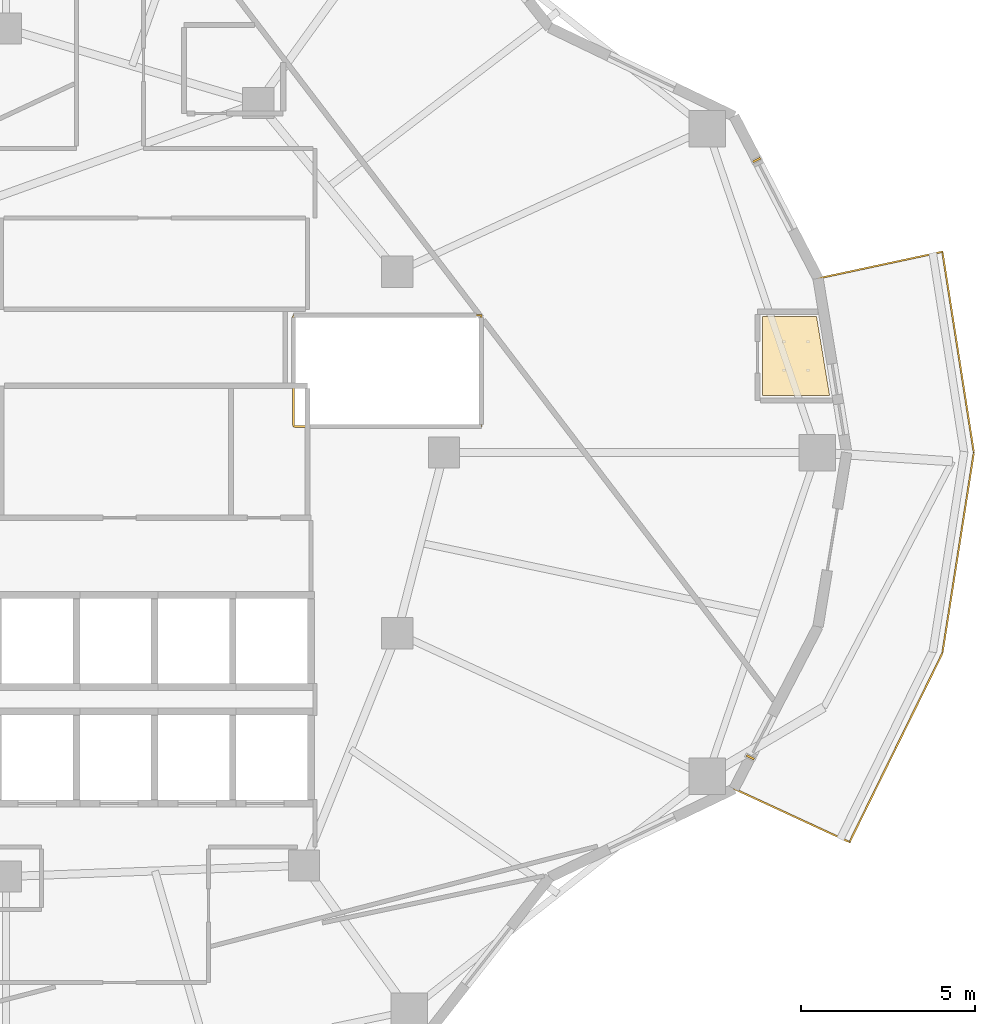
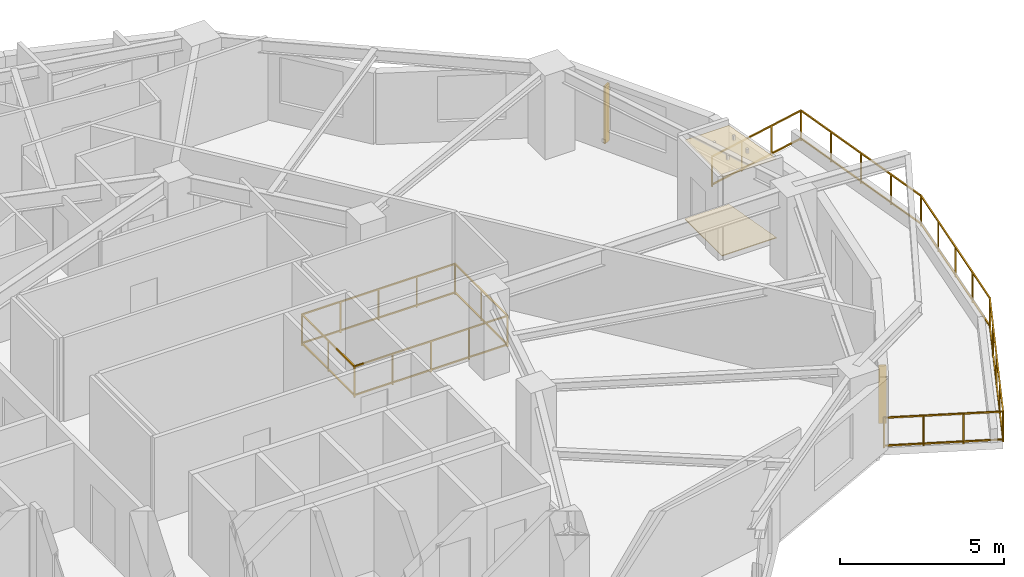
# One storey, part 13 of 14: 2 coverings, 2 railings, 2 shading devices.
"""IFC4 building model written with IfcOpenShell, lengths in metres."""

from ifc_helpers import new_model, si_unit, direction, frame, origin, origin_2d, place, context, subcontext, project, spatial, polyline, rectangle, outline, extrude, material, layer, layer_set, type_object, element, save


model = new_model("IFC4")

# Units and contexts
model_context = context("Model", 3, precision=1e-05, world=origin(), true_north=direction((0.0, 1.0)))
body_context = subcontext(model_context, "Body", "Model", "MODEL_VIEW")
ifc_project = project(units=[si_unit("LENGTHUNIT", "METRE"), si_unit("AREAUNIT", "SQUARE_METRE"), si_unit("VOLUMEUNIT", "CUBIC_METRE"), si_unit("PLANEANGLEUNIT", "RADIAN"), si_unit("MASSUNIT", "GRAM", prefix="KILO")], contexts=[model_context])

# Site, building, storey
site_placement = place(None, origin())
site = spatial("IfcSite", under=ifc_project, at=site_placement, CompositionType="ELEMENT")
building_placement = place(site_placement, origin())
building = spatial("IfcBuilding", under=site, at=building_placement, Name="Kolvaren Gate Tower and Convention Centre", CompositionType="ELEMENT")
storey_placement = place(building_placement, frame((0.0, 0.0, 118.89990234375)))
storey = spatial("IfcBuildingStorey", under=building, at=storey_placement, Name="L29", CompositionType="ELEMENT", Elevation=118.89990234375)

# Coverings
ifc_material_1 = material(Name="Perforated Mineral-Fibre Acoustic Ceiling Tile 18 mm", Category="gypsum")
ifc_layer_1 = layer(ifc_material_1, 0.01806640625)
ifc_layer_set_1 = layer_set([ifc_layer_1], Name="Perforated Mineral-Fibre Acoustic Ceiling Tile 18 mm")
covering_type_1 = type_object("IfcCoveringType", Name="ARCH-COV-CEIL-18", PredefinedType="CEILING", material=ifc_layer_set_1)
covering_1_placement = place(storey_placement, frame((0.0, 0.0, 2.9501953125)))
element("IfcCovering", 1, at=covering_1_placement, inside=storey, type_object=covering_type_1, Name="En-suite Bathroom (HTL-L29-05) Acoustic Suspended Ceiling", PredefinedType="CEILING", context=body_context, shape_type="SweptSolid", body=[
    extrude(outline(polyline([(51.889892578125, 28.639892578125), (51.889892578125, 30.909912109375), (53.446044921875, 30.909912109375), (53.820068359375, 28.639892578125), (51.889892578125, 28.639892578125)])), origin(), (0.0, 0.0, 1.0), 0.017822265625),
])
ifc_material_2 = material(Name="Honed Sabana Limestone Terrazzo Flooring 30 mm", Category="masonry")
ifc_layer_2 = layer(ifc_material_2, 0.030029296875)
ifc_layer_set_2 = layer_set([ifc_layer_2], Name="Honed Sabana Limestone Terrazzo Flooring 30 mm")
covering_type_2 = type_object("IfcCoveringType", Name="ARCH-COV-FLR-30", PredefinedType="FLOORING", material=ifc_layer_set_2)
covering_2_placement = place(storey_placement, origin())
element("IfcCovering", 2, at=covering_2_placement, inside=storey, type_object=covering_type_2, Name="En-suite Bathroom (HTL-L29-05) Interior Finish Flooring", PredefinedType="FLOORING", context=body_context, shape_type="SweptSolid", body=[
    extrude(outline(polyline([(51.889892578125, 28.639892578125), (51.889892578125, 30.909912109375), (53.446044921875, 30.909912109375), (53.820068359375, 28.639892578125), (51.889892578125, 28.639892578125)])), origin(), (0.0, 0.0, 1.0), 0.030029296875),
])

# Railings
ifc_material_3 = material(Name="Laminated Tempered Safety Glass Balustrade 21.5 mm", Category="glass")
railing_type_1 = type_object("IfcRailingType", Name="ARCH-RL-BALUST-1180", PredefinedType="BALUSTRADE", material=ifc_material_3)
railing_1_placement = place(storey_placement, frame((38.39990234375, 27.75, 0.0)))
element("IfcRailing", 3, at=railing_1_placement, inside=storey, type_object=railing_type_1, Name="Tower L29 Atrium Void Safety Balustrade", PredefinedType="BALUSTRADE", context=body_context, shape_type="SweptSolid", body=[
    extrude(rectangle(XDim=0.048095703125, YDim=0.048095703125, at=origin_2d()), frame((0.028076171875, 0.0, 1.15576171875), z_axis=(1.0, 0.0, 0.0), x_axis=(0.0, 1.0, 0.0)), (0.0, 0.0, 1.0), 5.343994140625),
    extrude(rectangle(XDim=0.048095703125, YDim=0.048095703125, at=origin_2d()), frame((0.028076171875, 0.0, 0.083984375), z_axis=(1.0, 0.0, 0.0), x_axis=(0.0, 1.0, 0.0)), (0.0, 0.0, 1.0), 5.343994140625),
    extrude(rectangle(XDim=0.048095703125, YDim=0.048095703125, at=origin_2d()), frame((5.400146484375, 0.028076171875, 1.15576171875), z_axis=(0.0, 1.0, 0.0), x_axis=(-1.0, 0.0, 0.0)), (0.0, 0.0, 1.0), 3.143798828125),
    extrude(rectangle(XDim=0.048095703125, YDim=0.048095703125, at=origin_2d()), frame((5.400146484375, 0.028076171875, 0.083984375), z_axis=(0.0, 1.0, 0.0), x_axis=(-1.0, 0.0, 0.0)), (0.0, 0.0, 1.0), 3.143798828125),
    extrude(rectangle(XDim=0.048095703125, YDim=0.048095703125, at=origin_2d()), frame((5.3720703125, 3.199951171875, 1.15576171875), z_axis=(-1.0, 0.0, 0.0), x_axis=(0.0, -1.0, 0.0)), (0.0, 0.0, 1.0), 5.343994140625),
    extrude(rectangle(XDim=0.048095703125, YDim=0.048095703125, at=origin_2d()), frame((5.3720703125, 3.199951171875, 0.083984375), z_axis=(-1.0, 0.0, 0.0), x_axis=(0.0, -1.0, 0.0)), (0.0, 0.0, 1.0), 5.343994140625),
    extrude(rectangle(XDim=0.048095703125, YDim=0.048095703125, at=origin_2d()), frame((0.0, 3.171875, 1.15576171875), z_axis=(0.0, -1.0, 0.0), x_axis=(1.0, 0.0, 0.0)), (0.0, 0.0, 1.0), 3.143798828125),
    extrude(rectangle(XDim=0.048095703125, YDim=0.048095703125, at=origin_2d()), frame((0.0, 3.171875, 0.083984375), z_axis=(0.0, -1.0, 0.0), x_axis=(1.0, 0.0, 0.0)), (0.0, 0.0, 1.0), 3.143798828125),
    extrude(rectangle(XDim=0.0419921875, YDim=0.0419921875, at=origin_2d()), origin(), (0.0, 0.0, 1.0), 1.179931640625),
    extrude(rectangle(XDim=0.0419921875, YDim=0.0419921875, at=origin_2d()), frame((5.400146484375, 0.0, 0.0)), (0.0, 0.0, 1.0), 1.179931640625),
    extrude(rectangle(XDim=0.0419921875, YDim=0.0419921875, at=origin_2d()), frame((1.35009765625, 0.0, 0.0)), (0.0, 0.0, 1.0), 1.1298828125),
    extrude(rectangle(XDim=0.0419921875, YDim=0.0419921875, at=origin_2d()), frame((2.7001953125, 0.0, 0.0)), (0.0, 0.0, 1.0), 1.1298828125),
    extrude(rectangle(XDim=0.0419921875, YDim=0.0419921875, at=origin_2d()), frame((4.050048828125, 0.0, 0.0)), (0.0, 0.0, 1.0), 1.1298828125),
    extrude(rectangle(XDim=0.0419921875, YDim=0.0419921875, at=origin_2d()), frame((5.400146484375, 3.199951171875, 0.0)), (0.0, 0.0, 1.0), 1.179931640625),
    extrude(rectangle(XDim=0.0419921875, YDim=0.0419921875, at=origin_2d()), frame((5.400146484375, 1.60009765625, 0.0)), (0.0, 0.0, 1.0), 1.1298828125),
    extrude(rectangle(XDim=0.0419921875, YDim=0.0419921875, at=origin_2d()), frame((0.0, 3.199951171875, 0.0)), (0.0, 0.0, 1.0), 1.179931640625),
    extrude(rectangle(XDim=0.0419921875, YDim=0.0419921875, at=origin_2d()), frame((4.050048828125, 3.199951171875, 0.0)), (0.0, 0.0, 1.0), 1.1298828125),
    extrude(rectangle(XDim=0.0419921875, YDim=0.0419921875, at=origin_2d()), frame((2.7001953125, 3.199951171875, 0.0)), (0.0, 0.0, 1.0), 1.1298828125),
    extrude(rectangle(XDim=0.0419921875, YDim=0.0419921875, at=origin_2d()), frame((1.35009765625, 3.199951171875, 0.0)), (0.0, 0.0, 1.0), 1.1298828125),
    extrude(rectangle(XDim=0.0419921875, YDim=0.0419921875, at=origin_2d()), frame((0.0, 1.60009765625, 0.0)), (0.0, 0.0, 1.0), 1.1298828125),
])
ifc_material_4 = material(Name="Brushed Stainless Steel Grade 316L", Category="steel")
railing_type_2 = type_object("IfcRailingType", Name="ARCH-RL-GUARD-1150", PredefinedType="GUARDRAIL", material=ifc_material_4)
railing_2_placement = place(storey_placement, frame((51.072021484375, 17.324951171875, 0.0)))
element("IfcRailing", 4, at=railing_2_placement, inside=storey, type_object=railing_type_2, Name="Tower L29 Terrace Perimeter Guardrail GR-4", PredefinedType="GUARDRAIL", context=body_context, shape_type="SweptSolid", body=[
    extrude(rectangle(XDim=0.048095703125, YDim=0.048095703125, at=origin_2d()), frame((0.025390625, -0.01171875, 1.1259765625), z_axis=(0.907846116663, -0.419303503993, 0.0), x_axis=(0.419303503993, 0.907846116663, 0.0)), (0.0, 0.0, 1.0), 3.60400390625),
    extrude(rectangle(XDim=0.048095703125, YDim=0.048095703125, at=origin_2d()), frame((0.025390625, -0.01171875, 0.083984375), z_axis=(0.907846116663, -0.419303503993, 0.0), x_axis=(0.419303503993, 0.907846116663, 0.0)), (0.0, 0.0, 1.0), 3.60400390625),
    extrude(rectangle(XDim=0.048095703125, YDim=0.048095703125, at=origin_2d()), frame((3.335205078125, -1.509521484375, 1.1259765625), z_axis=(0.441237167293, 0.897390529368, 0.0), x_axis=(-0.897390529368, 0.441237167293, 0.0)), (0.0, 0.0, 1.0), 5.999755859375),
    extrude(rectangle(XDim=0.048095703125, YDim=0.048095703125, at=origin_2d()), frame((3.335205078125, -1.509521484375, 0.083984375), z_axis=(0.441237167293, 0.897390529368, 0.0), x_axis=(-0.897390529368, 0.441237167293, 0.0)), (0.0, 0.0, 1.0), 5.999755859375),
    extrude(rectangle(XDim=0.048095703125, YDim=0.048095703125, at=origin_2d()), frame((5.999267578125, 3.927490234375, 1.1259765625), z_axis=(0.154903030247, 0.987929679289, 0.0), x_axis=(-0.987929679289, 0.154903030247, 0.0)), (0.0, 0.0, 1.0), 5.78955078125),
    extrude(rectangle(XDim=0.048095703125, YDim=0.048095703125, at=origin_2d()), frame((5.999267578125, 3.927490234375, 0.083984375), z_axis=(0.154903030247, 0.987929679289, 0.0), x_axis=(-0.987929679289, 0.154903030247, 0.0)), (0.0, 0.0, 1.0), 5.78955078125),
    extrude(rectangle(XDim=0.048095703125, YDim=0.048095703125, at=origin_2d()), frame((6.89599609375, 9.70263671875, 1.1259765625), z_axis=(-0.154903030247, 0.987929679289, 0.0), x_axis=(-0.987929679289, -0.154903030247, 0.0)), (0.0, 0.0, 1.0), 5.78955078125),
    extrude(rectangle(XDim=0.048095703125, YDim=0.048095703125, at=origin_2d()), frame((6.89599609375, 9.70263671875, 0.083984375), z_axis=(-0.154903030247, 0.987929679289, 0.0), x_axis=(-0.987929679289, -0.154903030247, 0.0)), (0.0, 0.0, 1.0), 5.78955078125),
    extrude(rectangle(XDim=0.048095703125, YDim=0.048095703125, at=origin_2d()), frame((5.967529296875, 15.4443359375, 1.1259765625), z_axis=(-0.977788745232, -0.209592866525, 0.0), x_axis=(0.209592866525, -0.977788745232, 0.0)), (0.0, 0.0, 1.0), 3.603759765625),
    extrude(rectangle(XDim=0.048095703125, YDim=0.048095703125, at=origin_2d()), frame((5.967529296875, 15.4443359375, 0.083984375), z_axis=(-0.977788745232, -0.209592866525, 0.0), x_axis=(0.209592866525, -0.977788745232, 0.0)), (0.0, 0.0, 1.0), 3.603759765625),
    extrude(rectangle(XDim=0.0419921875, YDim=0.0419921875, at=origin_2d()), origin(), (0.0, 0.0, 1.0), 1.14990234375),
    extrude(rectangle(XDim=0.0419921875, YDim=0.0419921875, at=origin_2d()), frame((3.32275390625, -1.53466796875, 0.0)), (0.0, 0.0, 1.0), 1.14990234375),
    extrude(rectangle(XDim=0.0419921875, YDim=0.0419921875, at=origin_2d()), frame((1.107666015625, -0.511474609375, 0.0)), (0.0, 0.0, 1.0), 1.099853515625),
    extrude(rectangle(XDim=0.0419921875, YDim=0.0419921875, at=origin_2d()), frame((2.215087890625, -1.023193359375, 0.0)), (0.0, 0.0, 1.0), 1.099853515625),
    extrude(rectangle(XDim=0.0419921875, YDim=0.0419921875, at=origin_2d()), frame((5.994873046875, 3.89990234375, 0.0)), (0.0, 0.0, 1.0), 1.14990234375),
    extrude(rectangle(XDim=0.0419921875, YDim=0.0419921875, at=origin_2d()), frame((3.99072265625, -0.176025390625, 0.0)), (0.0, 0.0, 1.0), 1.099853515625),
    extrude(rectangle(XDim=0.0419921875, YDim=0.0419921875, at=origin_2d()), frame((4.65869140625, 1.1826171875, 0.0)), (0.0, 0.0, 1.0), 1.099853515625),
    extrude(rectangle(XDim=0.0419921875, YDim=0.0419921875, at=origin_2d()), frame((5.326904296875, 2.541259765625, 0.0)), (0.0, 0.0, 1.0), 1.099853515625),
    extrude(rectangle(XDim=0.0419921875, YDim=0.0419921875, at=origin_2d()), frame((6.900390625, 9.675048828125, 0.0)), (0.0, 0.0, 1.0), 1.14990234375),
    extrude(rectangle(XDim=0.0419921875, YDim=0.0419921875, at=origin_2d()), frame((6.22119140625, 5.34375, 0.0)), (0.0, 0.0, 1.0), 1.099853515625),
    extrude(rectangle(XDim=0.0419921875, YDim=0.0419921875, at=origin_2d()), frame((6.44775390625, 6.78759765625, 0.0)), (0.0, 0.0, 1.0), 1.099853515625),
    extrude(rectangle(XDim=0.0419921875, YDim=0.0419921875, at=origin_2d()), frame((6.674072265625, 8.231201171875, 0.0)), (0.0, 0.0, 1.0), 1.099853515625),
    extrude(rectangle(XDim=0.0419921875, YDim=0.0419921875, at=origin_2d()), frame((5.994873046875, 15.4501953125, 0.0)), (0.0, 0.0, 1.0), 1.14990234375),
    extrude(rectangle(XDim=0.0419921875, YDim=0.0419921875, at=origin_2d()), frame((6.674072265625, 11.118896484375, 0.0)), (0.0, 0.0, 1.0), 1.099853515625),
    extrude(rectangle(XDim=0.0419921875, YDim=0.0419921875, at=origin_2d()), frame((6.44775390625, 12.5625, 0.0)), (0.0, 0.0, 1.0), 1.099853515625),
    extrude(rectangle(XDim=0.0419921875, YDim=0.0419921875, at=origin_2d()), frame((6.22119140625, 14.00634765625, 0.0)), (0.0, 0.0, 1.0), 1.099853515625),
    extrude(rectangle(XDim=0.0419921875, YDim=0.0419921875, at=origin_2d()), frame((2.416259765625, 14.68310546875, 0.0)), (0.0, 0.0, 1.0), 1.14990234375),
    extrude(rectangle(XDim=0.0419921875, YDim=0.0419921875, at=origin_2d()), frame((4.802001953125, 15.194580078125, 0.0)), (0.0, 0.0, 1.0), 1.099853515625),
    extrude(rectangle(XDim=0.0419921875, YDim=0.0419921875, at=origin_2d()), frame((3.609130859375, 14.938720703125, 0.0)), (0.0, 0.0, 1.0), 1.099853515625),
])

# Shading devices
ifc_material_5 = material(Name="Kiln-Fired Bogota Terracotta Ceramic Louvre Profile", Category="masonry")
shading_device_type = type_object("IfcShadingDeviceType", Name="ARCH-SHD-FIN-180", PredefinedType="JALOUSIE", material=ifc_material_5)
for number, where, z_axis, x_axis, name in (
    (5, (51.72412109375, 35.415771484375, 0.22021484375), (0.0, 0.0, 1.0), (0.459781360558, -0.888032150591, 0.0), "Ceramic Vertical Brise-Soleil Fin FN-L29-01"),
    (6, (51.541015625, 18.230712890625, 0.22021484375), (0.0, 0.0, 1.0), (0.459781360558, 0.888032150591, 0.0), "Ceramic Vertical Brise-Soleil Fin FN-L29-22"),
):
    element("IfcShadingDevice", number, at=place(storey_placement, frame(where, z_axis=z_axis, x_axis=x_axis)), inside=storey, type_object=shading_device_type, Name=name, PredefinedType="JALOUSIE", context=body_context, shape_type="SweptSolid", body=[
        extrude(rectangle(XDim=0.06005859375, YDim=0.239990234375, at=origin_2d()), origin(), (0.0, 0.0, 1.0), 2.14990234375),
    ])

save(model, "model.ifc")
